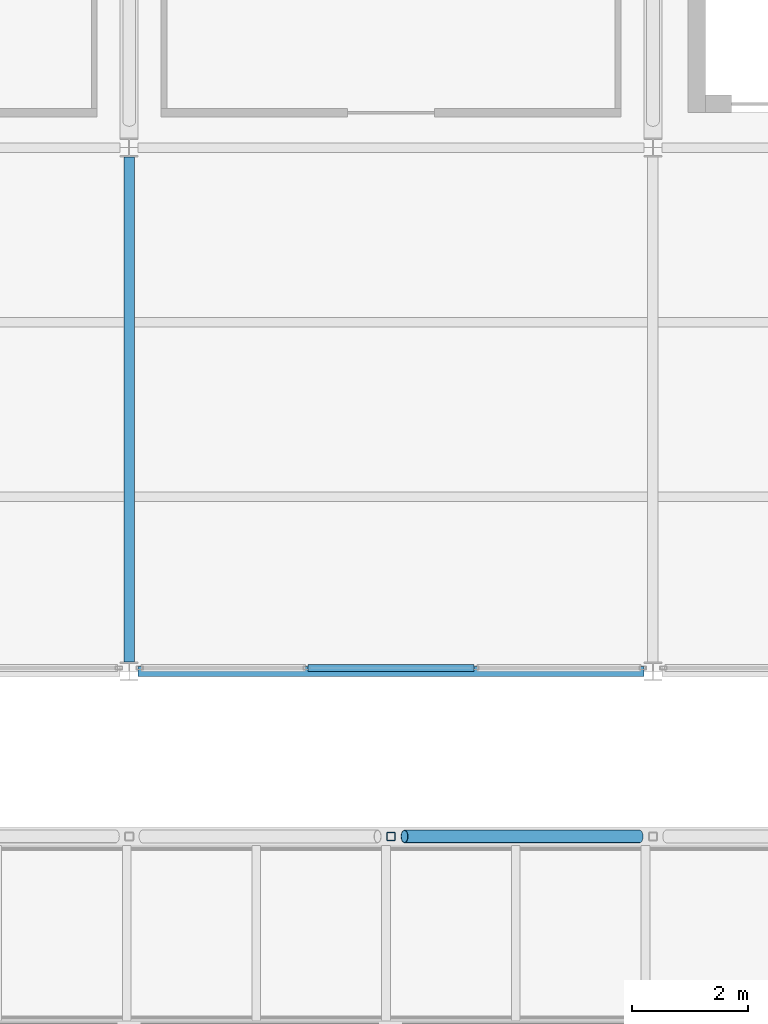
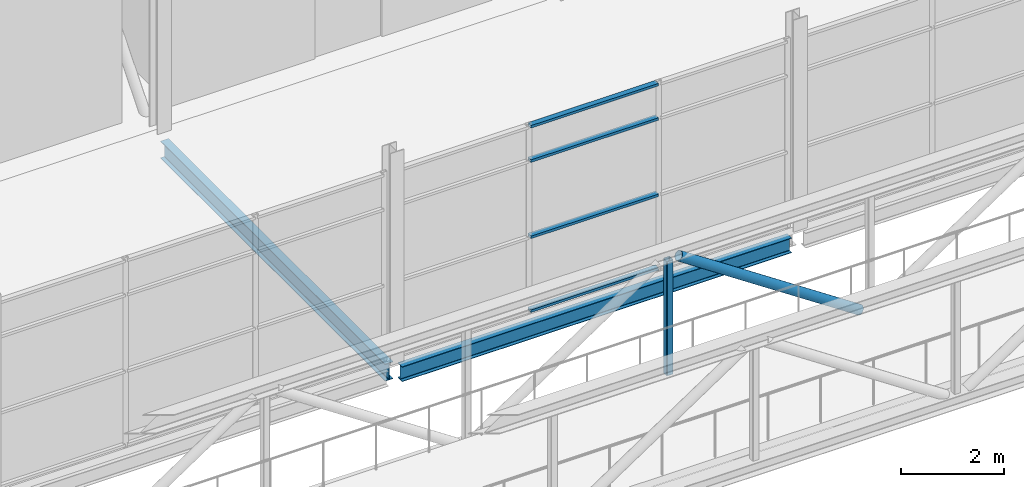
# One storey, part 46 of 94: 6 members, 2 beams, 1 element without a shape of its own.
"""IFC4 building model written with IfcOpenShell, lengths in metres."""

from ifc_helpers import new_model, si_unit, direction, frame, origin, origin_2d, place, context, subcontext, project, spatial, hollow_rectangle, hollow_circle, i_section, extrude, material, layer, layer_set, material_profile, profile_set, type_object, element, aggregate, save


model = new_model("IFC4")

# Units and contexts
model_context = context("Model", 3, precision=1e-05, world=origin(), true_north=direction((0.0, 1.0)))
body_context = subcontext(model_context, "Body", "Model", "MODEL_VIEW")
ifc_project = project(units=[si_unit("LENGTHUNIT", "METRE"), si_unit("AREAUNIT", "SQUARE_METRE"), si_unit("VOLUMEUNIT", "CUBIC_METRE"), si_unit("PLANEANGLEUNIT", "RADIAN"), si_unit("MASSUNIT", "GRAM", prefix="KILO")], contexts=[model_context])

# Site, building, storey
site_placement = place(None, origin())
site = spatial("IfcSite", under=ifc_project, at=site_placement, CompositionType="ELEMENT")
building_placement = place(site_placement, origin())
building = spatial("IfcBuilding", under=site, at=building_placement, Name="Shorebreak Coast Museum", CompositionType="ELEMENT")
storey_placement = place(building_placement, frame((0.0, 0.0, 31.0)))
storey = spatial("IfcBuildingStorey", under=building, at=storey_placement, Name="L05", CompositionType="ELEMENT", Elevation=31.0)

# Members
ifc_material_1 = material(Name="Steel Grade C350L0", Category="steel")
ifc_material_profile_1 = material_profile(ifc_material_1, hollow_circle(Radius=0.109619140625, WallThickness=0.00830078125, at=origin_2d()), Name="219.1x8.2 CHS")
ifc_profile_set_1 = profile_set([ifc_material_profile_1], Name="Steel Grade C350L0")
member_type_1 = type_object("IfcMemberType", Name="Atrium bridge truss diagonal 219.1x8.2 CHS", PredefinedType="BRACE", material=ifc_profile_set_1)
member_1_placement = place(storey_placement, frame((98.76904296875, 78.16259765625, -0.175048828125), z_axis=(-0.832042555046, 0.0, 0.554711804987), x_axis=(0.0, -1.0, 0.0)))
element("IfcMember", 1, at=member_1_placement, inside=storey, type_object=member_type_1, Name="Atrium bridge truss BR3 side B diagonal D08", PredefinedType="BRACE", context=body_context, shape_type="SweptSolid", body=[
    extrude(hollow_circle(Radius=0.109619140625, WallThickness=0.00830078125, at=origin_2d()), origin(), (0.0, 0.0, 1.0), 4.853271484375),
])
ifc_material_2 = material(Name="Steel Grade C450L0", Category="steel")
ifc_material_profile_2 = material_profile(ifc_material_2, hollow_rectangle(XDim=0.14990234375, YDim=0.14990234375, WallThickness=0.009033203125, InnerFilletRadius=0.013427734375, OuterFilletRadius=0.0224609375, at=origin_2d()), Name="150x150x9.0 SHS")
ifc_profile_set_2 = profile_set([ifc_material_profile_2], Name="Steel Grade C450L0")
member_type_2 = type_object("IfcMemberType", Name="Atrium bridge truss strut 150x150x9.0 SHS", PredefinedType="STRUT", material=ifc_profile_set_2)
member_2_placement = place(storey_placement, frame((94.5, 78.16259765625, -0.175048828125), z_axis=(0.0, 0.0, 1.0), x_axis=(1.0, 0.0, 0.0)))
element("IfcMember", 2, at=member_2_placement, inside=storey, type_object=member_type_2, Name="Atrium bridge truss BR3 side B strut V08", PredefinedType="STRUT", context=body_context, shape_type="SweptSolid", body=[
    extrude(hollow_rectangle(XDim=0.14990234375, YDim=0.14990234375, WallThickness=0.009033203125, InnerFilletRadius=0.013427734375, OuterFilletRadius=0.0224609375, at=origin_2d()), origin(), (0.0, 0.0, 1.0), 2.692138671875),
])

# Beams
ifc_material_3 = material(Name="Steel Grade 300", Category="steel")
ifc_material_profile_3 = material_profile(ifc_material_3, i_section(OverallWidth=0.1708984375, OverallDepth=0.355712890625, WebThickness=0.00732421875, FlangeThickness=0.011474609375, FilletRadius=0.011474609375, at=origin_2d()), Name="360UB50.7")
ifc_profile_set_3 = profile_set([ifc_material_profile_3], Name="Steel Grade 300")
beam_type_1 = type_object("IfcBeamType", Name="Floor girder east-west 360UB50.7", PredefinedType="BEAM", material=ifc_profile_set_3)
beam_1_placement = place(storey_placement, frame((90.153564453125, 81.0, -0.352783203125), z_axis=(1.0, 0.0, 0.0), x_axis=(0.0, 1.0, 0.0)))
element("IfcBeam", 3, at=beam_1_placement, inside=storey, type_object=beam_type_1, Name="Floor girder east-west L05 11K", PredefinedType="BEAM", context=body_context, shape_type="SweptSolid", body=[
    extrude(i_section(OverallWidth=0.1708984375, OverallDepth=0.355712890625, WebThickness=0.00732421875, FlangeThickness=0.011474609375, FilletRadius=0.011474609375, at=origin_2d()), origin(), (0.0, 0.0, 1.0), 8.69287109375),
])
ifc_material_4 = material(Name="Steel Grade 300", Category="steel")
ifc_material_profile_4 = material_profile(ifc_material_4, i_section(OverallWidth=0.177978515625, OverallDepth=0.406494140625, WebThickness=0.0078125, FlangeThickness=0.0126953125, FilletRadius=0.011474609375, at=origin_2d()), Name="410UB59.7")
ifc_profile_set_4 = profile_set([ifc_material_profile_4], Name="Steel Grade 300")
beam_type_2 = type_object("IfcBeamType", Name="Floor girder north-south 410UB59.7", PredefinedType="BEAM", material=ifc_profile_set_4)
beam_2_placement = place(storey_placement, frame((90.0, 81.1572265625, -0.378173828125), z_axis=(0.0, 1.0, 0.0), x_axis=(-1.0, 0.0, 0.0)))
element("IfcBeam", 4, at=beam_2_placement, inside=storey, type_object=beam_type_2, Name="Floor girder north-south L05 11K", PredefinedType="BEAM", context=body_context, shape_type="SweptSolid", body=[
    extrude(i_section(OverallWidth=0.177978515625, OverallDepth=0.406494140625, WebThickness=0.0078125, FlangeThickness=0.0126953125, FilletRadius=0.011474609375, at=origin_2d()), origin(), (0.0, 0.0, 1.0), 8.67919921875),
])

# Curtain wall, members
ifc_material_5 = material(Name="Aluminium", Category="aluminium")
ifc_layer = layer(ifc_material_5, 0.1201171875)
ifc_layer_set = layer_set([ifc_layer], Name="Aluminium")
curtain_wall_type = type_object("IfcCurtainWallType", Name="Atrium fire screen", PredefinedType="NOTDEFINED", material=ifc_layer_set)
curtain_wall_placement = place(storey_placement, origin())
curtain_wall = element("IfcCurtainWall", 5, at=curtain_wall_placement, inside=storey, type_object=curtain_wall_type, Name="Atrium screen L05 N 71", PredefinedType="NOTDEFINED")
ifc_material_6 = material(Name="Aluminium", Category="aluminium")
ifc_material_profile_5 = material_profile(ifc_material_6, hollow_rectangle(XDim=0.1201171875, YDim=0.06005859375, WallThickness=0.00341796875, at=origin_2d()), Name="AL 60x120 RHS")
ifc_profile_set_5 = profile_set([ifc_material_profile_5], Name="Aluminium")
member_type_3 = type_object("IfcMemberType", Name="Screen transom 120 x 50", PredefinedType="USERDEFINED", material=ifc_profile_set_5)
member_3_placement = place(storey_placement, frame((93.076171875, 81.06005859375, 0.06005859375), z_axis=(1.0, 0.0, 0.0), x_axis=(0.0, 1.0, 0.0)))
member_3 = element("IfcMember", 6, at=member_3_placement, type_object=member_type_3, Name="CW6 transom 2.1", ObjectType="TRANSOM", PredefinedType="USERDEFINED", context=body_context, shape_type="SweptSolid", body=[
    extrude(hollow_rectangle(XDim=0.1201171875, YDim=0.06005859375, WallThickness=0.00341796875, at=origin_2d()), origin(), (0.0, 0.0, 1.0), 2.84765625),
])
member_4_placement = place(storey_placement, frame((93.076171875, 81.06005859375, 1.800048828125), z_axis=(1.0, 0.0, 0.0), x_axis=(0.0, 1.0, 0.0)))
member_4 = element("IfcMember", 7, at=member_4_placement, type_object=member_type_3, Name="CW6 transom 2.2", ObjectType="TRANSOM", PredefinedType="USERDEFINED", context=body_context, shape_type="SweptSolid", body=[
    extrude(hollow_rectangle(XDim=0.1201171875, YDim=0.06005859375, WallThickness=0.00341796875, at=origin_2d()), origin(), (0.0, 0.0, 1.0), 2.84765625),
])
member_5_placement = place(storey_placement, frame((93.076171875, 81.06005859375, 3.60009765625), z_axis=(1.0, 0.0, 0.0), x_axis=(0.0, 1.0, 0.0)))
member_5 = element("IfcMember", 8, at=member_5_placement, type_object=member_type_3, Name="CW6 transom 2.3", ObjectType="TRANSOM", PredefinedType="USERDEFINED", context=body_context, shape_type="SweptSolid", body=[
    extrude(hollow_rectangle(XDim=0.1201171875, YDim=0.06005859375, WallThickness=0.00341796875, at=origin_2d()), origin(), (0.0, 0.0, 1.0), 2.84765625),
])
member_6_placement = place(storey_placement, frame((93.076171875, 81.06005859375, 4.409423828125), z_axis=(1.0, 0.0, 0.0), x_axis=(0.0, 1.0, 0.0)))
member_6 = element("IfcMember", 9, at=member_6_placement, type_object=member_type_3, Name="CW6 transom 2.4", ObjectType="TRANSOM", PredefinedType="USERDEFINED", context=body_context, shape_type="SweptSolid", body=[
    extrude(hollow_rectangle(XDim=0.1201171875, YDim=0.06005859375, WallThickness=0.00341796875, at=origin_2d()), origin(), (0.0, 0.0, 1.0), 2.84765625),
])
aggregate(curtain_wall, [member_3, member_4, member_5, member_6])

save(model, "model.ifc")
